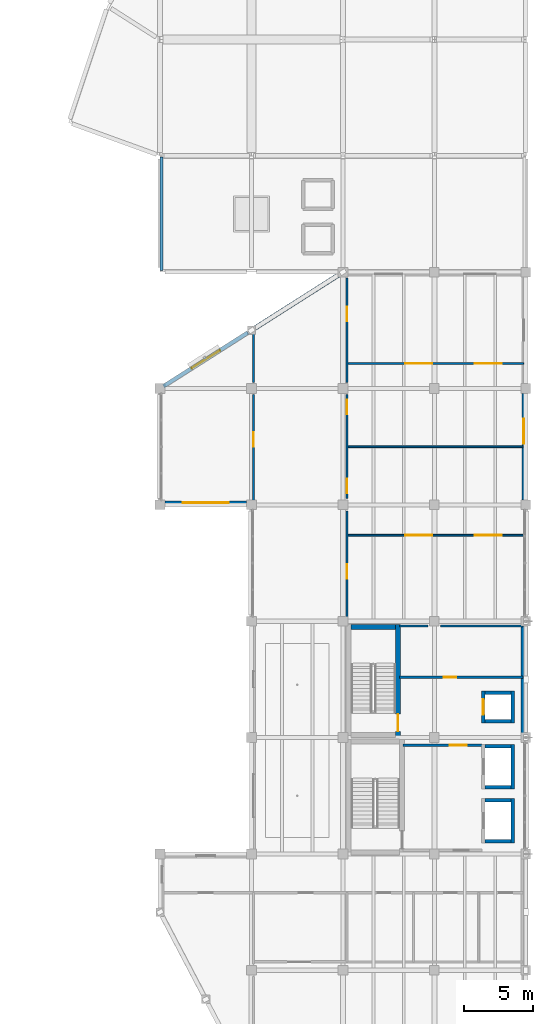
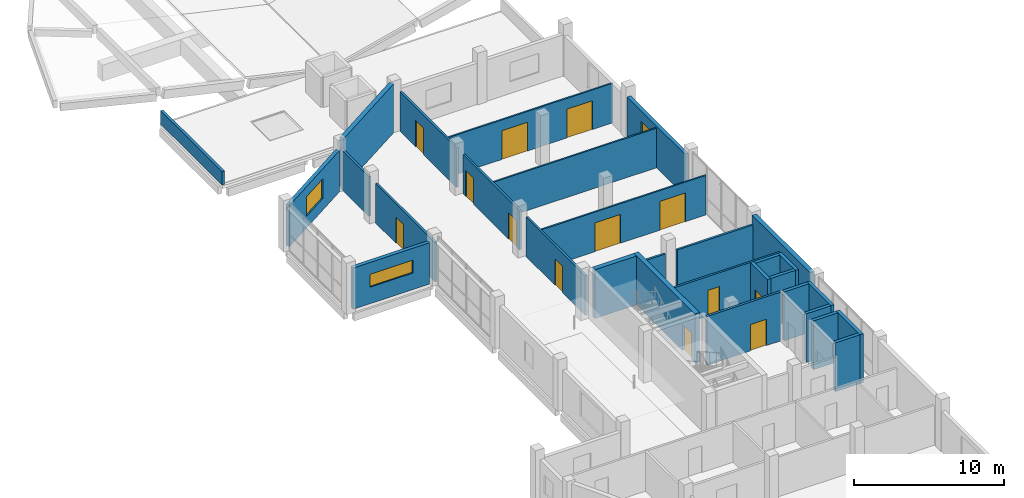
# One storey, part 39 of 47: 30 walls, 13 doors, 3 windows, 16 openings.
"""IFC4 building model written with IfcOpenShell, lengths in metres."""

from ifc_helpers import new_model, si_unit, direction, frame, frame_2d, origin, place, context, subcontext, project, spatial, rectangle, extrude, material, layer, layer_set, type_object, element, fill, save


model = new_model("IFC4")

# Units and contexts
model_context = context("Model", 3, precision=1e-05, world=origin(), true_north=direction((0.0, 1.0)))
body_context = subcontext(model_context, "Body", "Model", "MODEL_VIEW")
ifc_project = project(units=[si_unit("LENGTHUNIT", "METRE"), si_unit("AREAUNIT", "SQUARE_METRE"), si_unit("VOLUMEUNIT", "CUBIC_METRE"), si_unit("PLANEANGLEUNIT", "RADIAN"), si_unit("MASSUNIT", "GRAM", prefix="KILO")], contexts=[model_context])

# Site, building, storey
site_placement = place(None, origin())
site = spatial("IfcSite", under=ifc_project, at=site_placement, CompositionType="ELEMENT")
building_placement = place(site_placement, origin())
building = spatial("IfcBuilding", under=site, at=building_placement, Name="Qaldarim Faculty of Natural and Applied Sciences", CompositionType="ELEMENT")
storey_placement = place(building_placement, frame((0.0, 0.0, 22.800048828125)))
storey = spatial("IfcBuildingStorey", under=building, at=storey_placement, Name="L05", CompositionType="ELEMENT", Elevation=22.800048828125)

# Wall
ifc_material_1 = material(Name="Painted gypsum partition board")
ifc_layer_1 = layer(ifc_material_1, 0.1201171875)
ifc_layer_set_1 = layer_set([ifc_layer_1], Name="Painted gypsum partition board")
wall_type_1 = type_object("IfcWallType", Name="AcousticPartition-120", PredefinedType="PARTITIONING", material=ifc_layer_set_1)
wall_1_placement = place(storey_placement, frame((165.300048828125, 46.199951171875, 0.0), z_axis=(0.0, 0.0, 1.0), x_axis=(1.0, 0.0, 0.0)))
element("IfcWall", 1, at=wall_1_placement, inside=storey, type_object=wall_type_1, Name="Interior partition PRT-L05-V5-CMPD", PredefinedType="PARTITIONING", context=body_context, shape_type="SweptSolid", body=[
    extrude(rectangle(XDim=12.699951171875, YDim=0.1201171875, at=frame_2d((6.35009765625, 0.0))), origin(), (0.0, 0.0, 1.0), 3.22998046875),
])

# Wall, openings, doors
wall_2_placement = place(storey_placement, frame((165.300048828125, 39.800048828125, 0.0), z_axis=(0.0, 0.0, 1.0), x_axis=(1.0, 0.0, 0.0)))
wall_2 = element("IfcWall", 2, at=wall_2_placement, inside=storey, type_object=wall_type_1, Name="Interior partition PRT-L05-V5-SUB-1", PredefinedType="PARTITIONING", context=body_context, shape_type="SweptSolid", body=[
    extrude(rectangle(XDim=12.75, YDim=0.1201171875, at=frame_2d((6.375, 0.0))), origin(), (0.0, 0.0, 1.0), 3.22998046875),
])
opening_1_placement = place(wall_2_placement, frame((4.199951171875, 0.0, 0.0)))
opening_1 = element("IfcOpeningElement", 3, at=opening_1_placement, cuts=wall_2, Name="Opening ID13", PredefinedType="OPENING", context=body_context, shape_type="SweptSolid", body=[
    extrude(rectangle(XDim=1.949951171875, YDim=2.35009765625, at=frame_2d((0.97509765625, 1.175048828125))), frame((0.0, 0.070068359375, 0.0), z_axis=(0.0, -1.0, 0.0), x_axis=(1.0, 0.0, 0.0)), (0.0, 0.0, 1.0), 0.14013671875),
])
opening_2_placement = place(wall_2_placement, frame((9.199951171875, 0.0, 0.0)))
opening_2 = element("IfcOpeningElement", 4, at=opening_2_placement, cuts=wall_2, Name="Opening ID13", PredefinedType="OPENING", context=body_context, shape_type="SweptSolid", body=[
    extrude(rectangle(XDim=1.949951171875, YDim=2.35009765625, at=frame_2d((0.97509765625, 1.175048828125))), frame((0.0, 0.070068359375, 0.0), z_axis=(0.0, -1.0, 0.0), x_axis=(1.0, 0.0, 0.0)), (0.0, 0.0, 1.0), 0.14013671875),
])
ifc_material_2 = material(Name="Oak hardwood", Category="wood")
door_type_1 = type_object("IfcDoorType", Name="SymposiumDoubleDoor-1950x2350", OperationType="NOTDEFINED", PredefinedType="DOOR", material=ifc_material_2)
door_1_placement = place(opening_1_placement, origin())
door_1 = element("IfcDoor", 5, at=door_1_placement, inside=storey, type_object=door_type_1, Name="Interior door D-L05-347", OperationType="SINGLE_SWING_LEFT", OverallHeight=2.35009765625, OverallWidth=1.949951171875, PredefinedType="DOOR", context=body_context, shape_type="SweptSolid", body=[
    extrude(rectangle(XDim=1.949951171875, YDim=2.35009765625, at=frame_2d((0.97509765625, 1.175048828125))), frame((0.0, 0.02490234375, 0.0), z_axis=(0.0, -1.0, 0.0), x_axis=(1.0, 0.0, 0.0)), (0.0, 0.0, 1.0), 0.050048828125),
])
fill(opening_1, door_1)
door_2_placement = place(opening_2_placement, origin())
door_2 = element("IfcDoor", 6, at=door_2_placement, inside=storey, type_object=door_type_1, Name="Interior door D-L05-348", OperationType="SINGLE_SWING_RIGHT", OverallHeight=2.35009765625, OverallWidth=1.949951171875, PredefinedType="DOOR", context=body_context, shape_type="SweptSolid", body=[
    extrude(rectangle(XDim=1.949951171875, YDim=2.35009765625, at=frame_2d((0.97509765625, 1.175048828125))), frame((0.0, 0.02490234375, 0.0), z_axis=(0.0, -1.0, 0.0), x_axis=(1.0, 0.0, 0.0)), (0.0, 0.0, 1.0), 0.050048828125),
])
fill(opening_2, door_2)

wall_3_placement = place(storey_placement, frame((165.300048828125, 52.199951171875, 0.0), z_axis=(0.0, 0.0, 1.0), x_axis=(1.0, 0.0, 0.0)))
wall_3 = element("IfcWall", 7, at=wall_3_placement, inside=storey, type_object=wall_type_1, Name="Interior partition PRT-L05-V5-SUB-2", PredefinedType="PARTITIONING", context=body_context, shape_type="SweptSolid", body=[
    extrude(rectangle(XDim=12.75, YDim=0.1201171875, at=frame_2d((6.375, 0.0))), origin(), (0.0, 0.0, 1.0), 3.22998046875),
])
opening_3_placement = place(wall_3_placement, frame((4.199951171875, 0.0, 0.0)))
opening_3 = element("IfcOpeningElement", 8, at=opening_3_placement, cuts=wall_3, Name="Opening ID13", PredefinedType="OPENING", context=body_context, shape_type="SweptSolid", body=[
    extrude(rectangle(XDim=1.949951171875, YDim=2.35009765625, at=frame_2d((0.97509765625, 1.175048828125))), frame((0.0, 0.070068359375, 0.0), z_axis=(0.0, -1.0, 0.0), x_axis=(1.0, 0.0, 0.0)), (0.0, 0.0, 1.0), 0.14013671875),
])
opening_4_placement = place(wall_3_placement, frame((9.199951171875, 0.0, 0.0)))
opening_4 = element("IfcOpeningElement", 9, at=opening_4_placement, cuts=wall_3, Name="Opening ID13", PredefinedType="OPENING", context=body_context, shape_type="SweptSolid", body=[
    extrude(rectangle(XDim=1.949951171875, YDim=2.35009765625, at=frame_2d((0.97509765625, 1.175048828125))), frame((0.0, 0.070068359375, 0.0), z_axis=(0.0, -1.0, 0.0), x_axis=(1.0, 0.0, 0.0)), (0.0, 0.0, 1.0), 0.14013671875),
])
door_3_placement = place(opening_3_placement, origin())
door_3 = element("IfcDoor", 10, at=door_3_placement, inside=storey, type_object=door_type_1, Name="Interior door D-L05-349", OperationType="SINGLE_SWING_LEFT", OverallHeight=2.35009765625, OverallWidth=1.949951171875, PredefinedType="DOOR", context=body_context, shape_type="SweptSolid", body=[
    extrude(rectangle(XDim=1.949951171875, YDim=2.35009765625, at=frame_2d((0.97509765625, 1.175048828125))), frame((0.0, 0.02490234375, 0.0), z_axis=(0.0, -1.0, 0.0), x_axis=(1.0, 0.0, 0.0)), (0.0, 0.0, 1.0), 0.050048828125),
])
fill(opening_3, door_3)
door_4_placement = place(opening_4_placement, origin())
door_4 = element("IfcDoor", 11, at=door_4_placement, inside=storey, type_object=door_type_1, Name="Interior door D-L05-350", OperationType="SINGLE_SWING_RIGHT", OverallHeight=2.35009765625, OverallWidth=1.949951171875, PredefinedType="DOOR", context=body_context, shape_type="SweptSolid", body=[
    extrude(rectangle(XDim=1.949951171875, YDim=2.35009765625, at=frame_2d((0.97509765625, 1.175048828125))), frame((0.0, 0.02490234375, 0.0), z_axis=(0.0, -1.0, 0.0), x_axis=(1.0, 0.0, 0.0)), (0.0, 0.0, 1.0), 0.050048828125),
])
fill(opening_4, door_4)

# Wall, opening, door
ifc_material_3 = material(Name="Concrete C50/60", Category="concrete")
ifc_layer_2 = layer(ifc_material_3, 0.360107421875)
ifc_layer_set_2 = layer_set([ifc_layer_2], Name="Concrete C50/60")
wall_type_2 = type_object("IfcWallType", Name="CoreShearWall-360", PredefinedType="SHEAR", material=ifc_layer_set_2)
wall_4_placement = place(storey_placement, frame((168.97998046875, 25.18994140625, 0.0), z_axis=(0.0, 0.0, 1.0), x_axis=(0.0, 1.0, 0.0)))
wall_4 = element("IfcWall", 12, at=wall_4_placement, inside=storey, type_object=wall_type_2, Name="Core stair ST-A2 east shear wall L05", PredefinedType="SHEAR", context=body_context, shape_type="SweptSolid", body=[
    extrude(rectangle(XDim=8.170166015625, YDim=0.360107421875, at=frame_2d((4.0849609375, 0.0))), origin(), (0.0, 0.0, 1.0), 3.97998046875),
])
opening_5_placement = place(wall_4_placement, frame((0.449951171875, 0.0, 0.0)))
opening_5 = element("IfcOpeningElement", 13, at=opening_5_placement, cuts=wall_4, Name="Opening ID04", PredefinedType="OPENING", context=body_context, shape_type="SweptSolid", body=[
    extrude(rectangle(XDim=1.25, YDim=2.14990234375, at=frame_2d((0.625, 1.074951171875))), frame((0.0, 0.18994140625, 0.0), z_axis=(0.0, -1.0, 0.0), x_axis=(1.0, 0.0, 0.0)), (0.0, 0.0, 1.0), 0.380126953125),
])
ifc_material_4 = material(Name="Architectural stainless steel 316", Category="steel")
door_type_2 = type_object("IfcDoorType", Name="StairEnclosureFireDoor-1250x2150", OperationType="NOTDEFINED", PredefinedType="DOOR", material=ifc_material_4)
door_5_placement = place(opening_5_placement, origin())
door_5 = element("IfcDoor", 14, at=door_5_placement, inside=storey, type_object=door_type_2, Name="Protected stair ST-A2 fire door D-L05-519", OperationType="SINGLE_SWING_LEFT", OverallHeight=2.14990234375, OverallWidth=1.25, PredefinedType="DOOR", context=body_context, shape_type="SweptSolid", body=[
    extrude(rectangle(XDim=1.25, YDim=2.14990234375, at=frame_2d((0.625, 1.074951171875))), frame((0.0, 0.02490234375, 0.0), z_axis=(0.0, -1.0, 0.0), x_axis=(1.0, 0.0, 0.0)), (0.0, 0.0, 1.0), 0.050048828125),
])
fill(opening_5, door_5)

# Wall
wall_5_placement = place(storey_placement, frame((165.60009765625, 33.179931640625, 0.0), z_axis=(0.0, 0.0, 1.0), x_axis=(1.0, 0.0, 0.0)))
element("IfcWall", 15, at=wall_5_placement, inside=storey, type_object=wall_type_2, Name="Core stair ST-A2 north shear wall L05", PredefinedType="SHEAR", context=body_context, shape_type="SweptSolid", body=[
    extrude(rectangle(XDim=3.199951171875, YDim=0.360107421875, at=frame_2d((1.60009765625, 0.0))), origin(), (0.0, 0.0, 1.0), 3.97998046875),
])

# Wall, opening, window
ifc_material_5 = material(Name="Precast concrete C40/50", Category="concrete")
ifc_layer_3 = layer(ifc_material_5, 0.280029296875)
ifc_layer_set_3 = layer_set([ifc_layer_3], Name="Precast concrete C40/50")
wall_type_3 = type_object("IfcWallType", Name="ExteriorSpandrelWall-280", PredefinedType="SOLIDWALL", material=ifc_layer_set_3)
wall_6_placement = place(storey_placement, frame((152.14501953125, 42.139892578125, 0.0), z_axis=(0.0, 0.0, 1.0), x_axis=(1.0, 0.0, 0.0)))
wall_6 = element("IfcWall", 16, at=wall_6_placement, inside=storey, type_object=wall_type_3, Name="Exterior wall EW02 L05 S X24Y06", PredefinedType="SOLIDWALL", context=body_context, shape_type="SweptSolid", body=[
    extrude(rectangle(XDim=5.909912109375, YDim=0.280029296875, at=frame_2d((2.955078125, 0.0))), origin(), (0.0, 0.0, 1.0), 3.364990234375),
])
opening_6_placement = place(wall_6_placement, frame((1.304931640625, 0.0, 1.35009765625)))
opening_6 = element("IfcOpeningElement", 17, at=opening_6_placement, cuts=wall_6, Name="Opening WN23", PredefinedType="OPENING", context=body_context, shape_type="SweptSolid", body=[
    extrude(rectangle(XDim=3.300048828125, YDim=1.050048828125, at=frame_2d((1.64990234375, 0.52490234375))), frame((0.0, 0.14990234375, 0.0), z_axis=(0.0, -1.0, 0.0), x_axis=(1.0, 0.0, 0.0)), (0.0, 0.0, 1.0), 0.300048828125),
])
ifc_material_6 = material(Name="Insulated low-e double glazing", Category="glass")
window_type_1 = type_object("IfcWindowType", Name="ClerestoryWindow-3300x1050", PartitioningType="TRIPLE_PANEL_HORIZONTAL", PredefinedType="WINDOW", material=ifc_material_6)
window_1_placement = place(opening_6_placement, origin())
window_1 = element("IfcWindow", 18, at=window_1_placement, inside=storey, type_object=window_type_1, Name="Facade window WN23 L05 S X24Y06", OverallHeight=1.050048828125, OverallWidth=3.300048828125, PartitioningType="SINGLE_PANEL", PredefinedType="WINDOW", context=body_context, shape_type="SweptSolid", body=[
    extrude(rectangle(XDim=3.300048828125, YDim=1.050048828125, at=frame_2d((1.64990234375, 0.52490234375))), frame((0.0, 0.030029296875, 0.0), z_axis=(0.0, -1.0, 0.0), x_axis=(1.0, 0.0, 0.0)), (0.0, 0.0, 1.0), 0.06005859375),
])
fill(opening_6, window_1)

wall_7_placement = place(storey_placement, frame((178.06005859375, 42.344970703125, 0.0), z_axis=(0.0, 0.0, 1.0), x_axis=(0.0, 1.0, 0.0)))
wall_7 = element("IfcWall", 19, at=wall_7_placement, inside=storey, type_object=wall_type_3, Name="Exterior wall EW02 L05 E X27Y06", PredefinedType="SOLIDWALL", context=body_context, shape_type="SweptSolid", body=[
    extrude(rectangle(XDim=7.7099609375, YDim=0.280029296875, at=frame_2d((3.85498046875, 0.0))), origin(), (0.0, 0.0, 1.0), 3.4150390625),
])
opening_7_placement = place(wall_7_placement, frame((4.074951171875, 0.0, 0.949951171875)))
opening_7 = element("IfcOpeningElement", 20, at=opening_7_placement, cuts=wall_7, Name="Opening WN02", PredefinedType="OPENING", context=body_context, shape_type="SweptSolid", body=[
    extrude(rectangle(XDim=1.800048828125, YDim=1.60009765625, at=frame_2d((0.89990234375, 0.800048828125))), frame((0.0, 0.14990234375, 0.0), z_axis=(0.0, -1.0, 0.0), x_axis=(1.0, 0.0, 0.0)), (0.0, 0.0, 1.0), 0.300048828125),
])
window_type_2 = type_object("IfcWindowType", Name="Window-1800x1600", PartitioningType="DOUBLE_PANEL_VERTICAL", PredefinedType="WINDOW", material=ifc_material_6)
window_2_placement = place(opening_7_placement, origin())
window_2 = element("IfcWindow", 21, at=window_2_placement, inside=storey, type_object=window_type_2, Name="Facade window WN02 L05 E X27Y06", OverallHeight=1.60009765625, OverallWidth=1.800048828125, PartitioningType="SINGLE_PANEL", PredefinedType="WINDOW", context=body_context, shape_type="SweptSolid", body=[
    extrude(rectangle(XDim=1.800048828125, YDim=1.60009765625, at=frame_2d((0.89990234375, 0.800048828125))), frame((0.0, 0.030029296875, 0.0), z_axis=(0.0, -1.0, 0.0), x_axis=(1.0, 0.0, 0.0)), (0.0, 0.0, 1.0), 0.06005859375),
])
fill(opening_7, window_2)

wall_8_placement = place(storey_placement, frame((152.050048828125, 50.56005859375, 0.0), z_axis=(0.0, 0.0, 1.0), x_axis=(0.843776886751, 0.536694107835, 0.0)))
wall_8 = element("IfcWall", 22, at=wall_8_placement, inside=storey, type_object=wall_type_3, Name="Oblique NW chamfer fenestrated wall L05 1", PredefinedType="SOLIDWALL", context=body_context, shape_type="SweptSolid", body=[
    extrude(rectangle(XDim=7.229248046875, YDim=0.280029296875, at=frame_2d((3.61474609375, 0.0))), origin(), (0.0, 0.0, 1.0), 3.364990234375),
])
opening_8_placement = place(wall_8_placement, frame((2.4150390625, 0.0, 0.949951171875)))
opening_8 = element("IfcOpeningElement", 23, at=opening_8_placement, cuts=wall_8, Name="Opening WN03", PredefinedType="OPENING", context=body_context, shape_type="SweptSolid", body=[
    extrude(rectangle(XDim=2.39990234375, YDim=1.60009765625, at=frame_2d((1.199951171875, 0.800048828125))), frame((0.0, 0.14990234375, 0.0), z_axis=(0.0, -1.0, 0.0), x_axis=(1.0, 0.0, 0.0)), (0.0, 0.0, 1.0), 0.300048828125),
])
window_type_3 = type_object("IfcWindowType", Name="Window-2400x1600", PartitioningType="TRIPLE_PANEL_VERTICAL", PredefinedType="WINDOW", material=ifc_material_6)
window_3_placement = place(opening_8_placement, origin())
window_3 = element("IfcWindow", 24, at=window_3_placement, inside=storey, type_object=window_type_3, Name="Oblique NW chamfer window L05 1", OverallHeight=1.60009765625, OverallWidth=2.39990234375, PartitioningType="SINGLE_PANEL", PredefinedType="WINDOW", context=body_context, shape_type="SweptSolid", body=[
    extrude(rectangle(XDim=2.39990234375, YDim=1.60009765625, at=frame_2d((1.199951171875, 0.800048828125))), frame((0.0, 0.030029296875, 0.0), z_axis=(0.0, -1.0, 0.0), x_axis=(1.0, 0.0, 0.0)), (0.0, 0.0, 1.0), 0.06005859375),
])
fill(opening_8, window_3)

# Walls
ifc_layer_4 = layer(ifc_material_3, 0.340087890625)
ifc_layer_set_4 = layer_set([ifc_layer_4], Name="Concrete C50/60")
wall_type_4 = type_object("IfcWallType", Name="ExteriorStairShearWall-340", PredefinedType="SHEAR", material=ifc_layer_set_4)
wall_9_placement = place(storey_placement, frame((178.030029296875, 25.544921875, 0.0), z_axis=(0.0, 0.0, 1.0), x_axis=(0.0, 1.0, 0.0)))
element("IfcWall", 25, at=wall_9_placement, inside=storey, type_object=wall_type_4, Name="Exterior wall EW05 L05 E X27Y04", PredefinedType="SHEAR", context=body_context, shape_type="SweptSolid", body=[
    extrude(rectangle(XDim=7.7099609375, YDim=0.340087890625, at=frame_2d((3.85498046875, 0.0))), origin(), (0.0, 0.0, 1.0), 3.97998046875),
])
wall_10_placement = place(storey_placement, frame((158.64990234375, 54.760009765625, 0.0), z_axis=(0.0, 0.0, 1.0), x_axis=(0.843786613851, 0.536678814829, 0.0)))
element("IfcWall", 26, at=wall_10_placement, inside=storey, type_object=wall_type_4, Name="Oblique NW chamfer braced wall L05 2", PredefinedType="SHEAR", context=body_context, shape_type="SweptSolid", body=[
    extrude(rectangle(XDim=7.2294921875, YDim=0.340087890625, at=frame_2d((3.61474609375, 0.0))), origin(), (0.0, 0.0, 1.0), 3.97998046875),
])

# Wall, opening, door
ifc_material_7 = material(Name="Concrete C40/50", Category="concrete")
ifc_layer_5 = layer(ifc_material_7, 0.159912109375)
ifc_layer_set_5 = layer_set([ifc_layer_5], Name="Concrete C40/50")
wall_type_5 = type_object("IfcWallType", Name="FireCorridorWall-160", PredefinedType="PARTITIONING", material=ifc_layer_set_5)
wall_11_placement = place(storey_placement, frame((165.300048828125, 33.64990234375, 0.0), z_axis=(0.0, 0.0, 1.0), x_axis=(0.0, 1.0, 0.0)))
wall_11 = element("IfcWall", 27, at=wall_11_placement, inside=storey, type_object=wall_type_5, Name="Interior partition PRT-L05-V5-CMPW-S1", PredefinedType="PARTITIONING", context=body_context, shape_type="SweptSolid", body=[
    extrude(rectangle(XDim=7.900146484375, YDim=0.159912109375, at=frame_2d((3.9501953125, 0.0))), origin(), (0.0, 0.0, 1.0), 3.22998046875),
])
opening_9_placement = place(wall_11_placement, frame((3.0, 0.0, 0.0)))
opening_9 = element("IfcOpeningElement", 28, at=opening_9_placement, cuts=wall_11, Name="Opening ID02", PredefinedType="OPENING", context=body_context, shape_type="SweptSolid", body=[
    extrude(rectangle(XDim=1.050048828125, YDim=2.14990234375, at=frame_2d((0.52490234375, 1.074951171875))), frame((0.0, 0.08984375, 0.0), z_axis=(0.0, -1.0, 0.0), x_axis=(1.0, 0.0, 0.0)), (0.0, 0.0, 1.0), 0.179931640625),
])
door_type_3 = type_object("IfcDoorType", Name="AccessibleRoomDoor-1050x2150", OperationType="NOTDEFINED", PredefinedType="DOOR", material=ifc_material_2)
door_6_placement = place(opening_9_placement, origin())
door_6 = element("IfcDoor", 29, at=door_6_placement, inside=storey, type_object=door_type_3, Name="Interior door D-L05-261", OperationType="SINGLE_SWING_LEFT", OverallHeight=2.14990234375, OverallWidth=1.050048828125, PredefinedType="DOOR", context=body_context, shape_type="SweptSolid", body=[
    extrude(rectangle(XDim=1.050048828125, YDim=2.14990234375, at=frame_2d((0.52490234375, 1.074951171875))), frame((0.0, 0.02490234375, 0.0), z_axis=(0.0, -1.0, 0.0), x_axis=(1.0, 0.0, 0.0)), (0.0, 0.0, 1.0), 0.050048828125),
])
fill(opening_9, door_6)

# Wall, openings, doors
wall_12_placement = place(storey_placement, frame((165.300048828125, 42.449951171875, 0.0), z_axis=(0.0, 0.0, 1.0), x_axis=(0.0, 1.0, 0.0)))
wall_12 = element("IfcWall", 30, at=wall_12_placement, inside=storey, type_object=wall_type_5, Name="Interior partition PRT-L05-V5-CMPW-S2", PredefinedType="PARTITIONING", context=body_context, shape_type="SweptSolid", body=[
    extrude(rectangle(XDim=7.5, YDim=0.159912109375, at=frame_2d((3.75, 0.0))), origin(), (0.0, 0.0, 1.0), 3.22998046875),
])
opening_10_placement = place(wall_12_placement, frame((0.39990234375, 0.0, 0.0)))
opening_10 = element("IfcOpeningElement", 31, at=opening_10_placement, cuts=wall_12, Name="Opening ID02", PredefinedType="OPENING", context=body_context, shape_type="SweptSolid", body=[
    extrude(rectangle(XDim=1.050048828125, YDim=2.14990234375, at=frame_2d((0.52490234375, 1.074951171875))), frame((0.0, 0.08984375, 0.0), z_axis=(0.0, -1.0, 0.0), x_axis=(1.0, 0.0, 0.0)), (0.0, 0.0, 1.0), 0.179931640625),
])
opening_11_placement = place(wall_12_placement, frame((6.10009765625, 0.0, 0.0)))
opening_11 = element("IfcOpeningElement", 32, at=opening_11_placement, cuts=wall_12, Name="Opening ID02", PredefinedType="OPENING", context=body_context, shape_type="SweptSolid", body=[
    extrude(rectangle(XDim=1.050048828125, YDim=2.14990234375, at=frame_2d((0.52490234375, 1.074951171875))), frame((0.0, 0.08984375, 0.0), z_axis=(0.0, -1.0, 0.0), x_axis=(1.0, 0.0, 0.0)), (0.0, 0.0, 1.0), 0.179931640625),
])
door_7_placement = place(opening_10_placement, origin())
door_7 = element("IfcDoor", 33, at=door_7_placement, inside=storey, type_object=door_type_3, Name="Interior door D-L05-262", OperationType="SINGLE_SWING_RIGHT", OverallHeight=2.14990234375, OverallWidth=1.050048828125, PredefinedType="DOOR", context=body_context, shape_type="SweptSolid", body=[
    extrude(rectangle(XDim=1.050048828125, YDim=2.14990234375, at=frame_2d((0.52490234375, 1.074951171875))), frame((0.0, 0.02490234375, 0.0), z_axis=(0.0, -1.0, 0.0), x_axis=(1.0, 0.0, 0.0)), (0.0, 0.0, 1.0), 0.050048828125),
])
fill(opening_10, door_7)
door_8_placement = place(opening_11_placement, origin())
door_8 = element("IfcDoor", 34, at=door_8_placement, inside=storey, type_object=door_type_3, Name="Interior door D-L05-263", OperationType="SINGLE_SWING_LEFT", OverallHeight=2.14990234375, OverallWidth=1.050048828125, PredefinedType="DOOR", context=body_context, shape_type="SweptSolid", body=[
    extrude(rectangle(XDim=1.050048828125, YDim=2.14990234375, at=frame_2d((0.52490234375, 1.074951171875))), frame((0.0, 0.02490234375, 0.0), z_axis=(0.0, -1.0, 0.0), x_axis=(1.0, 0.0, 0.0)), (0.0, 0.0, 1.0), 0.050048828125),
])
fill(opening_11, door_8)

# Wall, opening, door
wall_13_placement = place(storey_placement, frame((165.300048828125, 50.85009765625, 0.0), z_axis=(0.0, 0.0, 1.0), x_axis=(0.0, 1.0, 0.0)))
wall_13 = element("IfcWall", 35, at=wall_13_placement, inside=storey, type_object=wall_type_5, Name="Interior partition PRT-L05-V5-CMPW-S3", PredefinedType="PARTITIONING", context=body_context, shape_type="SweptSolid", body=[
    extrude(rectangle(XDim=7.52978515625, YDim=0.159912109375, at=frame_2d((3.764892578125, 0.0))), origin(), (0.0, 0.0, 1.0), 3.22998046875),
])
opening_12_placement = place(wall_13_placement, frame((4.39990234375, 0.0, 0.0)))
opening_12 = element("IfcOpeningElement", 36, at=opening_12_placement, cuts=wall_13, Name="Opening ID02", PredefinedType="OPENING", context=body_context, shape_type="SweptSolid", body=[
    extrude(rectangle(XDim=1.050048828125, YDim=2.14990234375, at=frame_2d((0.52490234375, 1.074951171875))), frame((0.0, 0.08984375, 0.0), z_axis=(0.0, -1.0, 0.0), x_axis=(1.0, 0.0, 0.0)), (0.0, 0.0, 1.0), 0.179931640625),
])
door_9_placement = place(opening_12_placement, origin())
door_9 = element("IfcDoor", 37, at=door_9_placement, inside=storey, type_object=door_type_3, Name="Interior door D-L05-264", OperationType="SINGLE_SWING_RIGHT", OverallHeight=2.14990234375, OverallWidth=1.050048828125, PredefinedType="DOOR", context=body_context, shape_type="SweptSolid", body=[
    extrude(rectangle(XDim=1.050048828125, YDim=2.14990234375, at=frame_2d((0.52490234375, 1.074951171875))), frame((0.0, 0.02490234375, 0.0), z_axis=(0.0, -1.0, 0.0), x_axis=(1.0, 0.0, 0.0)), (0.0, 0.0, 1.0), 0.050048828125),
])
fill(opening_12, door_9)

wall_14_placement = place(storey_placement, frame((158.550048828125, 42.0, 0.0), z_axis=(0.0, 0.0, 1.0), x_axis=(0.0, 1.0, 0.0)))
wall_14 = element("IfcWall", 38, at=wall_14_placement, inside=storey, type_object=wall_type_5, Name="Interior partition PRT-L05-V5-NWSE-S1", PredefinedType="PARTITIONING", context=body_context, shape_type="SweptSolid", body=[
    extrude(rectangle(XDim=7.949951171875, YDim=0.159912109375, at=frame_2d((3.97509765625, 0.0))), origin(), (0.0, 0.0, 1.0), 3.22998046875),
])
opening_13_placement = place(wall_14_placement, frame((4.199951171875, 0.0, 0.0)))
opening_13 = element("IfcOpeningElement", 39, at=opening_13_placement, cuts=wall_14, Name="Opening ID02", PredefinedType="OPENING", context=body_context, shape_type="SweptSolid", body=[
    extrude(rectangle(XDim=1.050048828125, YDim=2.14990234375, at=frame_2d((0.52490234375, 1.074951171875))), frame((0.0, 0.08984375, 0.0), z_axis=(0.0, -1.0, 0.0), x_axis=(1.0, 0.0, 0.0)), (0.0, 0.0, 1.0), 0.179931640625),
])
door_10_placement = place(opening_13_placement, origin())
door_10 = element("IfcDoor", 40, at=door_10_placement, inside=storey, type_object=door_type_3, Name="Interior door D-L05-401", OperationType="SINGLE_SWING_LEFT", OverallHeight=2.14990234375, OverallWidth=1.050048828125, PredefinedType="DOOR", context=body_context, shape_type="SweptSolid", body=[
    extrude(rectangle(XDim=1.050048828125, YDim=2.14990234375, at=frame_2d((0.52490234375, 1.074951171875))), frame((0.0, 0.02490234375, 0.0), z_axis=(0.0, -1.0, 0.0), x_axis=(1.0, 0.0, 0.0)), (0.0, 0.0, 1.0), 0.050048828125),
])
fill(opening_13, door_10)

# Wall
wall_15_placement = place(storey_placement, frame((158.550048828125, 50.85009765625, 0.0), z_axis=(0.0, 0.0, 1.0), x_axis=(0.0, 1.0, 0.0)))
element("IfcWall", 41, at=wall_15_placement, inside=storey, type_object=wall_type_5, Name="Interior partition PRT-L05-V5-NWSE-S2", PredefinedType="PARTITIONING", context=body_context, shape_type="SweptSolid", body=[
    extrude(rectangle(XDim=3.7998046875, YDim=0.159912109375, at=frame_2d((1.89990234375, 0.0))), origin(), (0.0, 0.0, 1.0), 3.22998046875),
])

# Wall, opening, door
wall_16_placement = place(storey_placement, frame((169.070068359375, 29.550048828125, 0.0), z_axis=(0.0, 0.0, 1.0), x_axis=(1.0, 0.0, 0.0)))
wall_16 = element("IfcWall", 42, at=wall_16_placement, inside=storey, type_object=wall_type_5, Name="Interior partition PRT-L05-V5-NES", PredefinedType="PARTITIONING", context=body_context, shape_type="SweptSolid", body=[
    extrude(rectangle(XDim=8.929931640625, YDim=0.159912109375, at=frame_2d((4.46484375, 0.0))), origin(), (0.0, 0.0, 1.0), 3.22998046875),
])
opening_14_placement = place(wall_16_placement, frame((3.199951171875, 0.0, 0.0)))
opening_14 = element("IfcOpeningElement", 43, at=opening_14_placement, cuts=wall_16, Name="Opening ID07", PredefinedType="OPENING", context=body_context, shape_type="SweptSolid", body=[
    extrude(rectangle(XDim=0.89990234375, YDim=2.10009765625, at=frame_2d((0.449951171875, 1.050048828125))), frame((0.0, 0.08984375, 0.0), z_axis=(0.0, -1.0, 0.0), x_axis=(1.0, 0.0, 0.0)), (0.0, 0.0, 1.0), 0.179931640625),
])
door_type_4 = type_object("IfcDoorType", Name="OfficeStudyDoor-900x2100", OperationType="NOTDEFINED", PredefinedType="DOOR", material=ifc_material_2)
door_11_placement = place(opening_14_placement, origin())
door_11 = element("IfcDoor", 44, at=door_11_placement, inside=storey, type_object=door_type_4, Name="Interior door D-L05-428", OperationType="SINGLE_SWING_LEFT", OverallHeight=2.10009765625, OverallWidth=0.89990234375, PredefinedType="DOOR", context=body_context, shape_type="SweptSolid", body=[
    extrude(rectangle(XDim=0.89990234375, YDim=2.10009765625, at=frame_2d((0.449951171875, 1.050048828125))), frame((0.0, 0.02490234375, 0.0), z_axis=(0.0, -1.0, 0.0), x_axis=(1.0, 0.0, 0.0)), (0.0, 0.0, 1.0), 0.050048828125),
])
fill(opening_14, door_11)

# Walls
wall_17_placement = place(storey_placement, frame((169.070068359375, 33.25, 0.0), z_axis=(0.0, 0.0, 1.0), x_axis=(1.0, 0.0, 0.0)))
element("IfcWall", 45, at=wall_17_placement, inside=storey, type_object=wall_type_5, Name="Interior partition PRT-L05-V5-NEN-S1", PredefinedType="PARTITIONING", context=body_context, shape_type="SweptSolid", body=[
    extrude(rectangle(XDim=2.079833984375, YDim=0.159912109375, at=frame_2d((1.0400390625, 0.0))), origin(), (0.0, 0.0, 1.0), 3.22998046875),
])
wall_18_placement = place(storey_placement, frame((172.050048828125, 33.25, 0.0), z_axis=(0.0, 0.0, 1.0), x_axis=(1.0, 0.0, 0.0)))
element("IfcWall", 46, at=wall_18_placement, inside=storey, type_object=wall_type_5, Name="Interior partition PRT-L05-V5-NEN-S2", PredefinedType="PARTITIONING", context=body_context, shape_type="SweptSolid", body=[
    extrude(rectangle(XDim=5.949951171875, YDim=0.159912109375, at=frame_2d((2.97509765625, 0.0))), origin(), (0.0, 0.0, 1.0), 3.22998046875),
])

# Wall, opening, door
ifc_layer_6 = layer(ifc_material_7, 0.179931640625)
ifc_layer_set_6 = layer_set([ifc_layer_6], Name="Concrete C40/50")
wall_type_6 = type_object("IfcWallType", Name="LabFireCompartmentWall-180", PredefinedType="SOLIDWALL", material=ifc_layer_set_6)
wall_19_placement = place(storey_placement, frame((169.35009765625, 24.639892578125, 0.0), z_axis=(0.0, 0.0, 1.0), x_axis=(1.0, 0.0, 0.0)))
wall_19 = element("IfcWall", 47, at=wall_19_placement, inside=storey, type_object=wall_type_6, Name="Fire-fighting lobby compartment wall Core A L05", PredefinedType="SOLIDWALL", context=body_context, shape_type="SweptSolid", body=[
    extrude(rectangle(XDim=5.699951171875, YDim=0.179931640625, at=frame_2d((2.85009765625, 0.0))), origin(), (0.0, 0.0, 1.0), 3.97998046875),
])
opening_15_placement = place(wall_19_placement, frame((3.35009765625, 0.0, 0.0)))
opening_15 = element("IfcOpeningElement", 48, at=opening_15_placement, cuts=wall_19, Name="Opening ID04", PredefinedType="OPENING", context=body_context, shape_type="SweptSolid", body=[
    extrude(rectangle(XDim=1.25, YDim=2.14990234375, at=frame_2d((0.625, 1.074951171875))), frame((0.0, 0.099853515625, 0.0), z_axis=(0.0, -1.0, 0.0), x_axis=(1.0, 0.0, 0.0)), (0.0, 0.0, 1.0), 0.199951171875),
])
door_12_placement = place(opening_15_placement, frame((1.25, 0.0, 0.0), z_axis=(0.0, 0.0, 1.0), x_axis=(-1.0, 0.0, 0.0)))
door_12 = element("IfcDoor", 49, at=door_12_placement, inside=storey, type_object=door_type_2, Name="Fire-fighting lobby door Core A D-L05-608", OperationType="SINGLE_SWING_RIGHT", OverallHeight=2.14990234375, OverallWidth=1.25, PredefinedType="DOOR", context=body_context, shape_type="SweptSolid", body=[
    extrude(rectangle(XDim=1.25, YDim=2.14990234375, at=frame_2d((0.625, 1.074951171875))), frame((0.0, 0.02490234375, 0.0), z_axis=(0.0, -1.0, 0.0), x_axis=(1.0, 0.0, 0.0)), (0.0, 0.0, 1.0), 0.050048828125),
])
fill(opening_15, door_12)

# Walls
ifc_layer_7 = layer(ifc_material_7, 0.25)
ifc_layer_set_7 = layer_set([ifc_layer_7], Name="Concrete C40/50")
wall_type_7 = type_object("IfcWallType", Name="LiftShaftWall-250", PredefinedType="SHEAR", material=ifc_layer_set_7)
wall_20_placement = place(storey_placement, frame((177.27490234375, 17.60009765625, 0.0), z_axis=(0.0, 0.0, 1.0), x_axis=(0.0, 1.0, 0.0)))
element("IfcWall", 50, at=wall_20_placement, inside=storey, type_object=wall_type_7, Name="Lift LF-A1 rear shaft wall L05", PredefinedType="SHEAR", context=body_context, shape_type="SweptSolid", body=[
    extrude(rectangle(XDim=3.199951171875, YDim=0.25, at=frame_2d((1.60009765625, 0.0))), origin(), (0.0, 0.0, 1.0), 3.97998046875),
])
for number, where, z_axis, x_axis, name in (
    (51, (175.25, 17.72509765625, 0.0), (0.0, 0.0, 1.0), (1.0, 0.0, 0.0), "Lift LF-A1 south shaft wall L05"),
    (52, (175.25, 20.675048828125, 0.0), (0.0, 0.0, 1.0), (1.0, 0.0, 0.0), "Lift LF-A1 north shaft wall L05"),
):
    element("IfcWall", number, at=place(storey_placement, frame(where, z_axis=z_axis, x_axis=x_axis)), inside=storey, type_object=wall_type_7, Name=name, PredefinedType="SHEAR", context=body_context, shape_type="SweptSolid", body=[
        extrude(rectangle(XDim=1.89990234375, YDim=0.25, at=frame_2d((0.949951171875, 0.0))), origin(), (0.0, 0.0, 1.0), 3.97998046875),
    ])
wall_21_placement = place(storey_placement, frame((177.27490234375, 21.5, 0.0), z_axis=(0.0, 0.0, 1.0), x_axis=(0.0, 1.0, 0.0)))
element("IfcWall", 53, at=wall_21_placement, inside=storey, type_object=wall_type_7, Name="Lift LF-A2 rear shaft wall L05", PredefinedType="SHEAR", context=body_context, shape_type="SweptSolid", body=[
    extrude(rectangle(XDim=3.199951171875, YDim=0.25, at=frame_2d((1.60009765625, 0.0))), origin(), (0.0, 0.0, 1.0), 3.97998046875),
])
for number, where, z_axis, x_axis, name in (
    (54, (175.25, 21.625, 0.0), (0.0, 0.0, 1.0), (1.0, 0.0, 0.0), "Lift LF-A2 south shaft wall L05"),
    (55, (175.25, 24.574951171875, 0.0), (0.0, 0.0, 1.0), (1.0, 0.0, 0.0), "Lift LF-A2 north shaft wall L05"),
):
    element("IfcWall", number, at=place(storey_placement, frame(where, z_axis=z_axis, x_axis=x_axis)), inside=storey, type_object=wall_type_7, Name=name, PredefinedType="SHEAR", context=body_context, shape_type="SweptSolid", body=[
        extrude(rectangle(XDim=1.89990234375, YDim=0.25, at=frame_2d((0.949951171875, 0.0))), origin(), (0.0, 0.0, 1.0), 3.97998046875),
    ])

# Wall, opening, door
wall_22_placement = place(storey_placement, frame((175.125, 26.25, 0.0), z_axis=(0.0, 0.0, 1.0), x_axis=(0.0, 1.0, 0.0)))
wall_22 = element("IfcWall", 56, at=wall_22_placement, inside=storey, type_object=wall_type_7, Name="Lift LF-A3 front shaft wall L05", PredefinedType="SHEAR", context=body_context, shape_type="SweptSolid", body=[
    extrude(rectangle(XDim=2.300048828125, YDim=0.25, at=frame_2d((1.14990234375, 0.0))), origin(), (0.0, 0.0, 1.0), 3.97998046875),
])
opening_16_placement = place(wall_22_placement, frame((0.60009765625, 0.0, 0.0)))
opening_16 = element("IfcOpeningElement", 57, at=opening_16_placement, cuts=wall_22, Name="Opening LD01", PredefinedType="OPENING", context=body_context, shape_type="SweptSolid", body=[
    extrude(rectangle(XDim=1.10009765625, YDim=2.14990234375, at=frame_2d((0.550048828125, 1.074951171875))), frame((0.0, 0.135009765625, 0.0), z_axis=(0.0, -1.0, 0.0), x_axis=(1.0, 0.0, 0.0)), (0.0, 0.0, 1.0), 0.27001953125),
])
door_type_5 = type_object("IfcDoorType", Name="LiftLandingSlidingDoor-1100x2150", OperationType="NOTDEFINED", PredefinedType="DOOR", material=ifc_material_4)
door_13_placement = place(opening_16_placement, origin())
door_13 = element("IfcDoor", 58, at=door_13_placement, inside=storey, type_object=door_type_5, Name="Lift landing sliding door LF-A3 D-L05-589", OperationType="SLIDING_TO_LEFT", OverallHeight=2.14990234375, OverallWidth=1.10009765625, PredefinedType="DOOR", context=body_context, shape_type="SweptSolid", body=[
    extrude(rectangle(XDim=1.10009765625, YDim=2.14990234375, at=frame_2d((0.550048828125, 1.074951171875))), frame((0.0, 0.02490234375, 0.0), z_axis=(0.0, -1.0, 0.0), x_axis=(1.0, 0.0, 0.0)), (0.0, 0.0, 1.0), 0.050048828125),
])
fill(opening_16, door_13)

# Walls
wall_23_placement = place(storey_placement, frame((177.27490234375, 26.25, 0.0), z_axis=(0.0, 0.0, 1.0), x_axis=(0.0, 1.0, 0.0)))
element("IfcWall", 59, at=wall_23_placement, inside=storey, type_object=wall_type_7, Name="Lift LF-A3 rear shaft wall L05", PredefinedType="SHEAR", context=body_context, shape_type="SweptSolid", body=[
    extrude(rectangle(XDim=2.300048828125, YDim=0.25, at=frame_2d((1.14990234375, 0.0))), origin(), (0.0, 0.0, 1.0), 3.97998046875),
])
for number, where, z_axis, x_axis, name in (
    (60, (175.25, 26.375, 0.0), (0.0, 0.0, 1.0), (1.0, 0.0, 0.0), "Lift LF-A3 south shaft wall L05"),
    (61, (175.25, 28.425048828125, 0.0), (0.0, 0.0, 1.0), (1.0, 0.0, 0.0), "Lift LF-A3 north shaft wall L05"),
):
    element("IfcWall", number, at=place(storey_placement, frame(where, z_axis=z_axis, x_axis=x_axis)), inside=storey, type_object=wall_type_7, Name=name, PredefinedType="SHEAR", context=body_context, shape_type="SweptSolid", body=[
        extrude(rectangle(XDim=1.89990234375, YDim=0.25, at=frame_2d((0.949951171875, 0.0))), origin(), (0.0, 0.0, 1.0), 3.97998046875),
    ])
ifc_material_8 = material(Name="White architectural precast concrete C40/50", Category="concrete")
ifc_layer_8 = layer(ifc_material_8, 0.199951171875)
ifc_layer_set_8 = layer_set([ifc_layer_8], Name="White architectural precast concrete C40/50")
wall_type_8 = type_object("IfcWallType", Name="RoofParapetWall-200", PredefinedType="PARAPET", material=ifc_layer_set_8)
wall_24_placement = place(storey_placement, frame((151.89990234375, 58.89990234375, 0.0), z_axis=(0.0, 0.0, 1.0), x_axis=(0.0, 1.0, 0.0)))
element("IfcWall", 62, at=wall_24_placement, inside=storey, type_object=wall_type_8, Name="Roof parapet PAR-L05-V3-W-C", PredefinedType="PARAPET", context=body_context, shape_type="SweptSolid", body=[
    extrude(rectangle(XDim=8.2001953125, YDim=0.199951171875, at=frame_2d((4.10009765625, 0.0))), origin(), (0.0, 0.0, 1.0), 1.099853515625),
])

save(model, "model.ifc")
